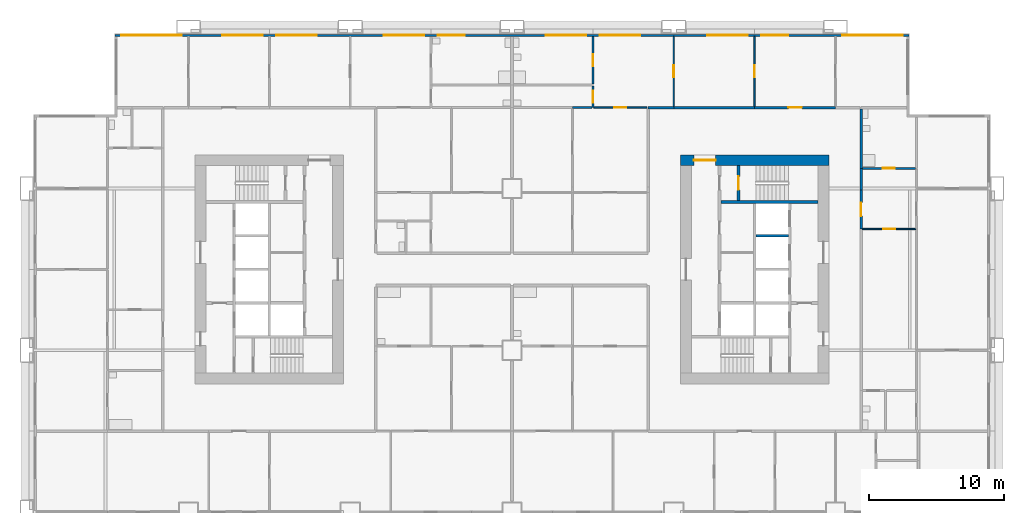
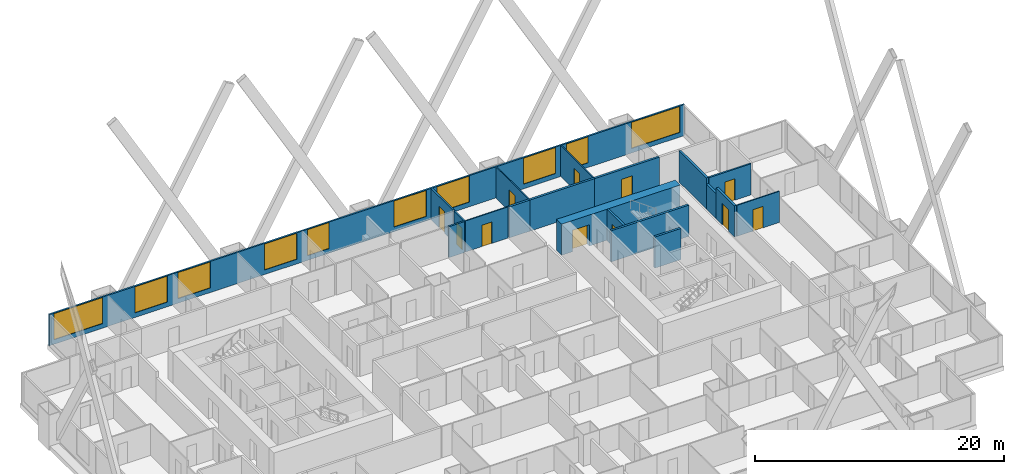
# One storey, part 9 of 13: 19 walls, 11 doors, 10 windows, 21 openings.
"""IFC4 building model written with IfcOpenShell, lengths in metres."""

from ifc_helpers import new_model, si_unit, direction, frame, frame_2d, origin, place, context, subcontext, project, spatial, rectangle, extrude, material, layer, layer_set, type_object, element, fill, save


model = new_model("IFC4")

# Units and contexts
model_context = context("Model", 3, precision=1e-05, world=origin(), true_north=direction((0.0, 1.0)))
body_context = subcontext(model_context, "Body", "Model", "MODEL_VIEW")
ifc_project = project(units=[si_unit("LENGTHUNIT", "METRE"), si_unit("AREAUNIT", "SQUARE_METRE"), si_unit("VOLUMEUNIT", "CUBIC_METRE"), si_unit("PLANEANGLEUNIT", "RADIAN"), si_unit("MASSUNIT", "GRAM", prefix="KILO")], contexts=[model_context])

# Site, building, storey
site_placement = place(None, origin())
site = spatial("IfcSite", under=ifc_project, at=site_placement, CompositionType="ELEMENT")
building_placement = place(site_placement, origin())
building = spatial("IfcBuilding", under=site, at=building_placement, Name="Kitamizu Gate Tower and Museum", CompositionType="ELEMENT")
storey_placement = place(building_placement, frame((0.0, 0.0, 30.0)))
storey = spatial("IfcBuildingStorey", under=building, at=storey_placement, Name="L05", CompositionType="ELEMENT", Elevation=30.0)

# Wall, opening, door
ifc_material_1 = material(Name="Concrete Fc60", Category="concrete")
ifc_layer_1 = layer(ifc_material_1, 0.800048828125)
ifc_layer_set_1 = layer_set([ifc_layer_1], Name="Concrete Fc60")
wall_type_1 = type_object("IfcWallType", Name="Core wall 800", PredefinedType="SHEAR", material=ifc_layer_set_1)
wall_1_placement = place(storey_placement, frame((59.5, 38.10009765625, 0.0), z_axis=(0.0, 0.0, 1.0), x_axis=(-1.0, 0.0, 0.0)))
wall_1 = element("IfcWall", 1, at=wall_1_placement, inside=storey, type_object=wall_type_1, Name="Core wall EN", PredefinedType="SHEAR", context=body_context, shape_type="SweptSolid", body=[
    extrude(rectangle(XDim=11.0, YDim=0.800048828125, at=frame_2d((5.5, 0.0))), origin(), (0.0, 0.0, 1.0), 3.050048828125),
])
opening_1_placement = place(wall_1_placement, frame((8.39990234375, 0.0, 0.0)))
opening_1 = element("IfcOpeningElement", 2, at=opening_1_placement, cuts=wall_1, Name="Opening L05-096", PredefinedType="OPENING", context=body_context, shape_type="SweptSolid", body=[
    extrude(rectangle(XDim=1.60009765625, YDim=2.10009765625, at=frame_2d((0.800048828125, 1.050048828125))), frame((0.0, 0.41015625, 0.0), z_axis=(0.0, -1.0, 0.0), x_axis=(1.0, 0.0, 0.0)), (0.0, 0.0, 1.0), 0.820068359375),
])
ifc_material_2 = material(Name="Timber door set", Category="wood")
door_type_1 = type_object("IfcDoorType", Name="Entrance door 1600", OperationType="DOUBLE_DOOR_SINGLE_SWING", PredefinedType="DOOR", material=ifc_material_2)
door_1_placement = place(opening_1_placement, origin())
door_1 = element("IfcDoor", 3, at=door_1_placement, inside=storey, type_object=door_type_1, Name="Lobby door L05-096", OperationType="DOUBLE_DOOR_SINGLE_SWING", OverallHeight=2.10009765625, OverallWidth=1.60009765625, PredefinedType="DOOR", context=body_context, shape_type="SweptSolid", body=[
    extrude(rectangle(XDim=1.60009765625, YDim=2.10009765625, at=frame_2d((0.800048828125, 1.050048828125))), frame((0.0, 0.02490234375, 0.0), z_axis=(0.0, -1.0, 0.0), x_axis=(1.0, 0.0, 0.0)), (0.0, 0.0, 1.0), 0.050048828125),
])
fill(opening_1, door_1)

ifc_material_3 = material(Name="Gypsum board on galvanised stud")
ifc_layer_2 = layer(ifc_material_3, 0.10009765625)
ifc_layer_set_2 = layer_set([ifc_layer_2], Name="Gypsum board on galvanised stud")
wall_type_2 = type_object("IfcWallType", Name="Partition 100 NOT RATED", PredefinedType="PARTITIONING", material=ifc_layer_set_2)
wall_2_placement = place(storey_placement, frame((65.949951171875, 33.0, 0.0), z_axis=(0.0, 0.0, 1.0), x_axis=(-1.0, 0.0, 0.0)))
wall_2 = element("IfcWall", 4, at=wall_2_placement, inside=storey, type_object=wall_type_2, Name="Partition L05-138", PredefinedType="PARTITIONING", context=body_context, shape_type="SweptSolid", body=[
    extrude(rectangle(XDim=3.949951171875, YDim=0.10009765625, at=frame_2d((1.97509765625, 0.0))), origin(), (0.0, 0.0, 1.0), 3.050048828125),
])
opening_2_placement = place(wall_2_placement, frame((1.52490234375, 0.0, 0.0)))
opening_2 = element("IfcOpeningElement", 5, at=opening_2_placement, cuts=wall_2, Name="Opening L05-050", PredefinedType="OPENING", context=body_context, shape_type="SweptSolid", body=[
    extrude(rectangle(XDim=0.89990234375, YDim=2.10009765625, at=frame_2d((0.449951171875, 1.050048828125))), frame((0.0, 0.06005859375, 0.0), z_axis=(0.0, -1.0, 0.0), x_axis=(1.0, 0.0, 0.0)), (0.0, 0.0, 1.0), 0.1201171875),
])
ifc_material_4 = material(Name="Timber door set", Category="wood")
door_type_2 = type_object("IfcDoorType", Name="Room door 900", OperationType="NOTDEFINED", PredefinedType="DOOR", material=ifc_material_4)
door_2_placement = place(opening_2_placement, frame((0.89990234375, 0.0, 0.0), x_axis=(-1.0, 0.0, 0.0)))
door_2 = element("IfcDoor", 6, at=door_2_placement, inside=storey, type_object=door_type_2, Name="Door L05-050", OperationType="SINGLE_SWING_LEFT", OverallHeight=2.10009765625, OverallWidth=0.89990234375, PredefinedType="DOOR", context=body_context, shape_type="SweptSolid", body=[
    extrude(rectangle(XDim=0.89990234375, YDim=2.10009765625, at=frame_2d((0.449951171875, 1.050048828125))), frame((0.0, 0.02490234375, 0.0), z_axis=(0.0, -1.0, 0.0), x_axis=(1.0, 0.0, 0.0)), (0.0, 0.0, 1.0), 0.050048828125),
])
fill(opening_2, door_2)

wall_3_placement = place(storey_placement, frame((48.0, 42.10009765625, 0.0), z_axis=(0.0, 0.0, 1.0), x_axis=(0.0, 1.0, 0.0)))
wall_3 = element("IfcWall", 7, at=wall_3_placement, inside=storey, type_object=wall_type_2, Name="Partition L05-184", PredefinedType="PARTITIONING", context=body_context, shape_type="SweptSolid", body=[
    extrude(rectangle(XDim=5.179931640625, YDim=0.10009765625, at=frame_2d((2.58984375, 0.0))), origin(), (0.0, 0.0, 1.0), 3.050048828125),
])
opening_3_placement = place(wall_3_placement, frame((2.139892578125, 0.0, 0.0)))
opening_3 = element("IfcOpeningElement", 8, at=opening_3_placement, cuts=wall_3, Name="Opening L05-071", PredefinedType="OPENING", context=body_context, shape_type="SweptSolid", body=[
    extrude(rectangle(XDim=0.89990234375, YDim=2.10009765625, at=frame_2d((0.449951171875, 1.050048828125))), frame((0.0, 0.06005859375, 0.0), z_axis=(0.0, -1.0, 0.0), x_axis=(1.0, 0.0, 0.0)), (0.0, 0.0, 1.0), 0.1201171875),
])
door_3_placement = place(opening_3_placement, origin())
door_3 = element("IfcDoor", 9, at=door_3_placement, inside=storey, type_object=door_type_2, Name="Door L05-071", OperationType="SINGLE_SWING_RIGHT", OverallHeight=2.10009765625, OverallWidth=0.89990234375, PredefinedType="DOOR", context=body_context, shape_type="SweptSolid", body=[
    extrude(rectangle(XDim=0.89990234375, YDim=2.10009765625, at=frame_2d((0.449951171875, 1.050048828125))), frame((0.0, 0.02490234375, 0.0), z_axis=(0.0, -1.0, 0.0), x_axis=(1.0, 0.0, 0.0)), (0.0, 0.0, 1.0), 0.050048828125),
])
fill(opening_3, door_3)

wall_4_placement = place(storey_placement, frame((42.074951171875, 42.0, 0.0), z_axis=(0.0, 0.0, 1.0), x_axis=(1.0, 0.0, 0.0)))
wall_4 = element("IfcWall", 10, at=wall_4_placement, inside=storey, type_object=wall_type_2, Name="Partition L05-185", PredefinedType="PARTITIONING", context=body_context, shape_type="SweptSolid", body=[
    extrude(rectangle(XDim=3.925048828125, YDim=0.10009765625, at=frame_2d((1.96240234375, 0.0))), origin(), (0.0, 0.0, 1.0), 3.050048828125),
])
opening_4_placement = place(wall_4_placement, frame((1.512451171875, 0.0, 0.0)))
opening_4 = element("IfcOpeningElement", 11, at=opening_4_placement, cuts=wall_4, Name="Opening L05-072", PredefinedType="OPENING", context=body_context, shape_type="SweptSolid", body=[
    extrude(rectangle(XDim=0.89990234375, YDim=2.10009765625, at=frame_2d((0.449951171875, 1.050048828125))), frame((0.0, 0.06005859375, 0.0), z_axis=(0.0, -1.0, 0.0), x_axis=(1.0, 0.0, 0.0)), (0.0, 0.0, 1.0), 0.1201171875),
])
door_4_placement = place(opening_4_placement, origin())
door_4 = element("IfcDoor", 12, at=door_4_placement, inside=storey, type_object=door_type_2, Name="Door L05-072", OperationType="SINGLE_SWING_LEFT", OverallHeight=2.10009765625, OverallWidth=0.89990234375, PredefinedType="DOOR", context=body_context, shape_type="SweptSolid", body=[
    extrude(rectangle(XDim=0.89990234375, YDim=2.10009765625, at=frame_2d((0.449951171875, 1.050048828125))), frame((0.0, 0.02490234375, 0.0), z_axis=(0.0, -1.0, 0.0), x_axis=(1.0, 0.0, 0.0)), (0.0, 0.0, 1.0), 0.050048828125),
])
fill(opening_4, door_4)

wall_5_placement = place(storey_placement, frame((54.0, 42.10009765625, 0.0), z_axis=(0.0, 0.0, 1.0), x_axis=(0.0, 1.0, 0.0)))
wall_5 = element("IfcWall", 13, at=wall_5_placement, inside=storey, type_object=wall_type_2, Name="Partition L05-187", PredefinedType="PARTITIONING", context=body_context, shape_type="SweptSolid", body=[
    extrude(rectangle(XDim=5.179931640625, YDim=0.10009765625, at=frame_2d((2.58984375, 0.0))), origin(), (0.0, 0.0, 1.0), 3.050048828125),
])
opening_5_placement = place(wall_5_placement, frame((2.139892578125, 0.0, 0.0)))
opening_5 = element("IfcOpeningElement", 14, at=opening_5_placement, cuts=wall_5, Name="Opening L05-070", PredefinedType="OPENING", context=body_context, shape_type="SweptSolid", body=[
    extrude(rectangle(XDim=0.89990234375, YDim=2.10009765625, at=frame_2d((0.449951171875, 1.050048828125))), frame((0.0, 0.06005859375, 0.0), z_axis=(0.0, -1.0, 0.0), x_axis=(1.0, 0.0, 0.0)), (0.0, 0.0, 1.0), 0.1201171875),
])
door_5_placement = place(opening_5_placement, origin())
door_5 = element("IfcDoor", 15, at=door_5_placement, inside=storey, type_object=door_type_2, Name="Door L05-070", OperationType="SINGLE_SWING_LEFT", OverallHeight=2.10009765625, OverallWidth=0.89990234375, PredefinedType="DOOR", context=body_context, shape_type="SweptSolid", body=[
    extrude(rectangle(XDim=0.89990234375, YDim=2.10009765625, at=frame_2d((0.449951171875, 1.050048828125))), frame((0.0, 0.02490234375, 0.0), z_axis=(0.0, -1.0, 0.0), x_axis=(1.0, 0.0, 0.0)), (0.0, 0.0, 1.0), 0.050048828125),
])
fill(opening_5, door_5)

ifc_material_5 = material(Name="Gypsum board on galvanised stud")
ifc_layer_3 = layer(ifc_material_5, 0.14990234375)
ifc_layer_set_3 = layer_set([ifc_layer_3], Name="Gypsum board on galvanised stud")
wall_type_3 = type_object("IfcWallType", Name="Partition 150", PredefinedType="PARTITIONING", material=ifc_layer_set_3)
wall_6_placement = place(storey_placement, frame((65.925048828125, 37.5, 0.0), z_axis=(0.0, 0.0, 1.0), x_axis=(-1.0, 0.0, 0.0)))
wall_6 = element("IfcWall", 16, at=wall_6_placement, inside=storey, type_object=wall_type_3, Name="Partition L05-141", PredefinedType="PARTITIONING", context=body_context, shape_type="SweptSolid", body=[
    extrude(rectangle(XDim=3.925048828125, YDim=0.14990234375, at=frame_2d((1.96240234375, 0.0))), origin(), (0.0, 0.0, 1.0), 3.050048828125),
])
opening_6_placement = place(wall_6_placement, frame((1.512451171875, 0.0, 0.0)))
opening_6 = element("IfcOpeningElement", 17, at=opening_6_placement, cuts=wall_6, Name="Opening L05-052", PredefinedType="OPENING", context=body_context, shape_type="SweptSolid", body=[
    extrude(rectangle(XDim=0.89990234375, YDim=2.10009765625, at=frame_2d((0.449951171875, 1.050048828125))), frame((0.0, 0.0849609375, 0.0), z_axis=(0.0, -1.0, 0.0), x_axis=(1.0, 0.0, 0.0)), (0.0, 0.0, 1.0), 0.169921875),
])
ifc_material_6 = material(Name="Timber door set", Category="wood")
door_type_3 = type_object("IfcDoorType", Name="Bathroom door 900", OperationType="NOTDEFINED", PredefinedType="DOOR", material=ifc_material_6)
door_6_placement = place(opening_6_placement, frame((0.89990234375, 0.0, 0.0), x_axis=(-1.0, 0.0, 0.0)))
door_6 = element("IfcDoor", 18, at=door_6_placement, inside=storey, type_object=door_type_3, Name="Bathroom door L05-052", OperationType="SINGLE_SWING_LEFT", OverallHeight=2.10009765625, OverallWidth=0.89990234375, PredefinedType="DOOR", context=body_context, shape_type="SweptSolid", body=[
    extrude(rectangle(XDim=0.89990234375, YDim=2.10009765625, at=frame_2d((0.449951171875, 1.050048828125))), frame((0.0, 0.02490234375, 0.0), z_axis=(0.0, -1.0, 0.0), x_axis=(1.0, 0.0, 0.0)), (0.0, 0.0, 1.0), 0.050048828125),
])
fill(opening_6, door_6)

wall_7_placement = place(storey_placement, frame((42.0, 43.7548828125, 0.0), z_axis=(0.0, 0.0, 1.0), x_axis=(0.0, 1.0, 0.0)))
wall_7 = element("IfcWall", 19, at=wall_7_placement, inside=storey, type_object=wall_type_3, Name="Partition L05-180", PredefinedType="PARTITIONING", context=body_context, shape_type="SweptSolid", body=[
    extrude(rectangle(XDim=3.525146484375, YDim=0.14990234375, at=frame_2d((1.7626953125, 0.0))), origin(), (0.0, 0.0, 1.0), 3.050048828125),
])
opening_7_placement = place(wall_7_placement, frame((1.3125, 0.0, 0.0)))
opening_7 = element("IfcOpeningElement", 20, at=opening_7_placement, cuts=wall_7, Name="Opening L05-074", PredefinedType="OPENING", context=body_context, shape_type="SweptSolid", body=[
    extrude(rectangle(XDim=0.89990234375, YDim=2.10009765625, at=frame_2d((0.449951171875, 1.050048828125))), frame((0.0, 0.0849609375, 0.0), z_axis=(0.0, -1.0, 0.0), x_axis=(1.0, 0.0, 0.0)), (0.0, 0.0, 1.0), 0.169921875),
])
door_7_placement = place(opening_7_placement, origin())
door_7 = element("IfcDoor", 21, at=door_7_placement, inside=storey, type_object=door_type_3, Name="Bathroom door L05-074", OperationType="SINGLE_SWING_LEFT", OverallHeight=2.10009765625, OverallWidth=0.89990234375, PredefinedType="DOOR", context=body_context, shape_type="SweptSolid", body=[
    extrude(rectangle(XDim=0.89990234375, YDim=2.10009765625, at=frame_2d((0.449951171875, 1.050048828125))), frame((0.0, 0.02490234375, 0.0), z_axis=(0.0, -1.0, 0.0), x_axis=(1.0, 0.0, 0.0)), (0.0, 0.0, 1.0), 0.050048828125),
])
fill(opening_7, door_7)

wall_8_placement = place(storey_placement, frame((42.0, 42.0, 0.0), z_axis=(0.0, 0.0, 1.0), x_axis=(0.0, 1.0, 0.0)))
wall_8 = element("IfcWall", 22, at=wall_8_placement, inside=storey, type_object=wall_type_3, Name="Partition L05-181", PredefinedType="PARTITIONING", context=body_context, shape_type="SweptSolid", body=[
    extrude(rectangle(XDim=1.60498046875, YDim=0.14990234375, at=frame_2d((0.802490234375, 0.0))), origin(), (0.0, 0.0, 1.0), 3.050048828125),
])
opening_8_placement = place(wall_8_placement, frame((0.3525390625, 0.0, 0.0)))
opening_8 = element("IfcOpeningElement", 23, at=opening_8_placement, cuts=wall_8, Name="Opening L05-075", PredefinedType="OPENING", context=body_context, shape_type="SweptSolid", body=[
    extrude(rectangle(XDim=0.89990234375, YDim=2.10009765625, at=frame_2d((0.449951171875, 1.050048828125))), frame((0.0, 0.0849609375, 0.0), z_axis=(0.0, -1.0, 0.0), x_axis=(1.0, 0.0, 0.0)), (0.0, 0.0, 1.0), 0.169921875),
])
door_8_placement = place(opening_8_placement, origin())
door_8 = element("IfcDoor", 24, at=door_8_placement, inside=storey, type_object=door_type_3, Name="Bathroom door L05-075", OperationType="SINGLE_SWING_RIGHT", OverallHeight=2.10009765625, OverallWidth=0.89990234375, PredefinedType="DOOR", context=body_context, shape_type="SweptSolid", body=[
    extrude(rectangle(XDim=0.89990234375, YDim=2.10009765625, at=frame_2d((0.449951171875, 1.050048828125))), frame((0.0, 0.02490234375, 0.0), z_axis=(0.0, -1.0, 0.0), x_axis=(1.0, 0.0, 0.0)), (0.0, 0.0, 1.0), 0.050048828125),
])
fill(opening_8, door_8)

# Walls
wall_9_placement = place(storey_placement, frame((40.5, 42.0, 0.0), z_axis=(0.0, 0.0, 1.0), x_axis=(1.0, 0.0, 0.0)))
element("IfcWall", 25, at=wall_9_placement, inside=storey, type_object=wall_type_3, Name="Partition L05-183", PredefinedType="PARTITIONING", context=body_context, shape_type="SweptSolid", body=[
    extrude(rectangle(XDim=1.425048828125, YDim=0.14990234375, at=frame_2d((0.71240234375, 0.0))), origin(), (0.0, 0.0, 1.0), 3.050048828125),
])
ifc_material_7 = material(Name="Gypsum board on galvanised stud")
ifc_layer_4 = layer(ifc_material_7, 0.199951171875)
ifc_layer_set_4 = layer_set([ifc_layer_4], Name="Gypsum board on galvanised stud")
wall_type_4 = type_object("IfcWallType", Name="Partition 200", PredefinedType="PARTITIONING", material=ifc_layer_set_4)
wall_10_placement = place(storey_placement, frame((61.89990234375, 37.5, 0.0), z_axis=(0.0, 0.0, 1.0), x_axis=(0.0, -1.0, 0.0)))
element("IfcWall", 26, at=wall_10_placement, inside=storey, type_object=wall_type_4, Name="Partition L05-142", PredefinedType="PARTITIONING", context=body_context, shape_type="SweptSolid", body=[
    extrude(rectangle(XDim=1.60009765625, YDim=0.199951171875, at=frame_2d((0.800048828125, 0.0))), origin(), (0.0, 0.0, 1.0), 2.449951171875),
])

# Wall, opening, door
wall_11_placement = place(storey_placement, frame((61.89990234375, 35.89990234375, 0.0), z_axis=(0.0, 0.0, 1.0), x_axis=(0.0, -1.0, 0.0)))
wall_11 = element("IfcWall", 27, at=wall_11_placement, inside=storey, type_object=wall_type_4, Name="Partition L05-143", PredefinedType="PARTITIONING", context=body_context, shape_type="SweptSolid", body=[
    extrude(rectangle(XDim=2.89990234375, YDim=0.199951171875, at=frame_2d((1.449951171875, 0.0))), origin(), (0.0, 0.0, 1.0), 3.050048828125),
])
opening_9_placement = place(wall_11_placement, frame((0.949951171875, 0.0, 0.0)))
opening_9 = element("IfcOpeningElement", 28, at=opening_9_placement, cuts=wall_11, Name="Opening L05-048", PredefinedType="OPENING", context=body_context, shape_type="SweptSolid", body=[
    extrude(rectangle(XDim=1.0, YDim=2.10009765625, at=frame_2d((0.5, 1.050048828125))), frame((0.0, 0.10986328125, 0.0), z_axis=(0.0, -1.0, 0.0), x_axis=(1.0, 0.0, 0.0)), (0.0, 0.0, 1.0), 0.219970703125),
])
ifc_material_8 = material(Name="Timber door set", Category="wood")
door_type_4 = type_object("IfcDoorType", Name="Flat entrance door 1000", OperationType="NOTDEFINED", PredefinedType="DOOR", material=ifc_material_8)
door_9_placement = place(opening_9_placement, origin())
door_9 = element("IfcDoor", 29, at=door_9_placement, inside=storey, type_object=door_type_4, Name="Flat entrance door L05-048", OperationType="SINGLE_SWING_LEFT", OverallHeight=2.10009765625, OverallWidth=1.0, PredefinedType="DOOR", context=body_context, shape_type="SweptSolid", body=[
    extrude(rectangle(XDim=1.0, YDim=2.10009765625, at=frame_2d((0.5, 1.050048828125))), frame((0.0, 0.02490234375, 0.0), z_axis=(0.0, -1.0, 0.0), x_axis=(1.0, 0.0, 0.0)), (0.0, 0.0, 1.0), 0.050048828125),
])
fill(opening_9, door_9)

# Walls
wall_12_placement = place(storey_placement, frame((61.89990234375, 41.89990234375, 0.0), z_axis=(0.0, 0.0, 1.0), x_axis=(0.0, -1.0, 0.0)))
element("IfcWall", 30, at=wall_12_placement, inside=storey, type_object=wall_type_4, Name="Partition L05-145", PredefinedType="PARTITIONING", context=body_context, shape_type="SweptSolid", body=[
    extrude(rectangle(XDim=4.39990234375, YDim=0.199951171875, at=frame_2d((2.199951171875, 0.0))), origin(), (0.0, 0.0, 1.0), 3.050048828125),
])
wall_13_placement = place(storey_placement, frame((46.10009765625, 42.0, 0.0), z_axis=(0.0, 0.0, 1.0), x_axis=(1.0, 0.0, 0.0)))
element("IfcWall", 31, at=wall_13_placement, inside=storey, type_object=wall_type_4, Name="Partition L05-186", PredefinedType="PARTITIONING", context=body_context, shape_type="SweptSolid", body=[
    extrude(rectangle(XDim=1.89990234375, YDim=0.199951171875, at=frame_2d((0.949951171875, 0.0))), origin(), (0.0, 0.0, 1.0), 3.050048828125),
])
wall_14_placement = place(storey_placement, frame((48.0, 42.0, 0.0), z_axis=(0.0, 0.0, 1.0), x_axis=(1.0, 0.0, 0.0)))
element("IfcWall", 32, at=wall_14_placement, inside=storey, type_object=wall_type_4, Name="Partition L05-188", PredefinedType="PARTITIONING", context=body_context, shape_type="SweptSolid", body=[
    extrude(rectangle(XDim=6.0, YDim=0.199951171875, at=frame_2d((3.0, 0.0))), origin(), (0.0, 0.0, 1.0), 3.050048828125),
])

# Wall, opening, door
wall_15_placement = place(storey_placement, frame((54.0, 42.0, 0.0), z_axis=(0.0, 0.0, 1.0), x_axis=(1.0, 0.0, 0.0)))
wall_15 = element("IfcWall", 33, at=wall_15_placement, inside=storey, type_object=wall_type_4, Name="Partition L05-190", PredefinedType="PARTITIONING", context=body_context, shape_type="SweptSolid", body=[
    extrude(rectangle(XDim=6.0, YDim=0.199951171875, at=frame_2d((3.0, 0.0))), origin(), (0.0, 0.0, 1.0), 3.050048828125),
])
opening_10_placement = place(wall_15_placement, frame((2.5, 0.0, 0.0)))
opening_10 = element("IfcOpeningElement", 34, at=opening_10_placement, cuts=wall_15, Name="Opening L05-068", PredefinedType="OPENING", context=body_context, shape_type="SweptSolid", body=[
    extrude(rectangle(XDim=1.0, YDim=2.10009765625, at=frame_2d((0.5, 1.050048828125))), frame((0.0, 0.10986328125, 0.0), z_axis=(0.0, -1.0, 0.0), x_axis=(1.0, 0.0, 0.0)), (0.0, 0.0, 1.0), 0.219970703125),
])
door_10_placement = place(opening_10_placement, origin())
door_10 = element("IfcDoor", 35, at=door_10_placement, inside=storey, type_object=door_type_4, Name="Flat entrance door L05-068", OperationType="SINGLE_SWING_LEFT", OverallHeight=2.10009765625, OverallWidth=1.0, PredefinedType="DOOR", context=body_context, shape_type="SweptSolid", body=[
    extrude(rectangle(XDim=1.0, YDim=2.10009765625, at=frame_2d((0.5, 1.050048828125))), frame((0.0, 0.02490234375, 0.0), z_axis=(0.0, -1.0, 0.0), x_axis=(1.0, 0.0, 0.0)), (0.0, 0.0, 1.0), 0.050048828125),
])
fill(opening_10, door_10)

# Wall
ifc_material_9 = material(Name="Concrete Fc42", Category="concrete")
ifc_layer_5 = layer(ifc_material_9, 0.199951171875)
ifc_layer_set_5 = layer_set([ifc_layer_5], Name="Concrete Fc42")
wall_type_5 = type_object("IfcWallType", Name="Shaft wall 200", PredefinedType="SOLIDWALL", material=ifc_layer_set_5)
wall_16_placement = place(storey_placement, frame((58.699951171875, 35.0, 0.0), z_axis=(0.0, 0.0, 1.0), x_axis=(-1.0, 0.0, 0.0)))
element("IfcWall", 36, at=wall_16_placement, inside=storey, type_object=wall_type_5, Name="Shaft wall ENB", PredefinedType="SOLIDWALL", context=body_context, shape_type="SweptSolid", body=[
    extrude(rectangle(XDim=7.199951171875, YDim=0.199951171875, at=frame_2d((3.60009765625, 0.0))), origin(), (0.0, 0.0, 1.0), 3.050048828125),
])

# Wall, opening, door
wall_17_placement = place(storey_placement, frame((52.800048828125, 35.10009765625, 0.0), z_axis=(0.0, 0.0, 1.0), x_axis=(0.0, 1.0, 0.0)))
wall_17 = element("IfcWall", 37, at=wall_17_placement, inside=storey, type_object=wall_type_5, Name="Shaft wall ENZ", PredefinedType="SOLIDWALL", context=body_context, shape_type="SweptSolid", body=[
    extrude(rectangle(XDim=2.599853515625, YDim=0.199951171875, at=frame_2d((1.2998046875, 0.0))), origin(), (0.0, 0.0, 1.0), 3.050048828125),
])
opening_11_placement = place(wall_17_placement, frame((0.800048828125, 0.0, 0.0)))
opening_11 = element("IfcOpeningElement", 38, at=opening_11_placement, cuts=wall_17, Name="Opening L05-092", PredefinedType="OPENING", context=body_context, shape_type="SweptSolid", body=[
    extrude(rectangle(XDim=1.0, YDim=2.10009765625, at=frame_2d((0.5, 1.050048828125))), frame((0.0, 0.10986328125, 0.0), z_axis=(0.0, -1.0, 0.0), x_axis=(1.0, 0.0, 0.0)), (0.0, 0.0, 1.0), 0.219970703125),
])
ifc_material_10 = material(Name="Hollow metal door set")
door_type_5 = type_object("IfcDoorType", Name="Fire door 1000", OperationType="NOTDEFINED", PredefinedType="DOOR", material=ifc_material_10)
door_11_placement = place(opening_11_placement, frame((1.0, 0.0, 0.0), x_axis=(-1.0, 0.0, 0.0)))
door_11 = element("IfcDoor", 39, at=door_11_placement, inside=storey, type_object=door_type_5, Name="Stair door L05-092", OperationType="SINGLE_SWING_LEFT", OverallHeight=2.10009765625, OverallWidth=1.0, PredefinedType="DOOR", context=body_context, shape_type="SweptSolid", body=[
    extrude(rectangle(XDim=1.0, YDim=2.10009765625, at=frame_2d((0.5, 1.050048828125))), frame((0.0, 0.02490234375, 0.0), z_axis=(0.0, -1.0, 0.0), x_axis=(1.0, 0.0, 0.0)), (0.0, 0.0, 1.0), 0.050048828125),
])
fill(opening_11, door_11)

# Wall
wall_18_placement = place(storey_placement, frame((56.5, 32.5, 0.0), z_axis=(0.0, 0.0, 1.0), x_axis=(-1.0, 0.0, 0.0)))
element("IfcWall", 40, at=wall_18_placement, inside=storey, type_object=wall_type_5, Name="Shaft wall EDVW2", PredefinedType="SOLIDWALL", context=body_context, shape_type="SweptSolid", body=[
    extrude(rectangle(XDim=2.39990234375, YDim=0.199951171875, at=frame_2d((1.199951171875, 0.0))), origin(), (0.0, 0.0, 1.0), 3.050048828125),
])

# Wall, openings, windows
ifc_material_11 = material(Name="Bronze anodised aluminium frame with insulated spandrel and tinted glass", Category="aluminium")
ifc_layer_6 = layer(ifc_material_11, 0.14990234375)
ifc_layer_set_6 = layer_set([ifc_layer_6], Name="Bronze anodised aluminium frame with insulated spandrel and tinted glass")
wall_type_6 = type_object("IfcWallType", Name="WINDOW WALL 150 BRONZE FRAME EI 30", PredefinedType="ELEMENTEDWALL", material=ifc_layer_set_6)
wall_19_placement = place(storey_placement, frame((6.56005859375, 47.364990234375, 0.0), z_axis=(0.0, 0.0, 1.0), x_axis=(1.0, 0.0, 0.0)))
wall_19 = element("IfcWall", 41, at=wall_19_placement, inside=storey, type_object=wall_type_6, Name="Window wall north L05", PredefinedType="ELEMENTEDWALL", context=body_context, shape_type="SweptSolid", body=[
    extrude(rectangle(XDim=58.8798828125, YDim=0.14990234375, at=frame_2d((29.43994140625, 0.0))), origin(), (0.0, 0.0, 1.0), 3.050048828125),
])
opening_12_placement = place(wall_19_placement, frame((0.43994140625, 0.0, 0.449951171875)))
opening_12 = element("IfcOpeningElement", 42, at=opening_12_placement, cuts=wall_19, Name="Opening W15", PredefinedType="OPENING", context=body_context, shape_type="SweptSolid", body=[
    extrude(rectangle(XDim=4.5, YDim=2.550048828125, at=frame_2d((2.25, 1.27490234375))), frame((0.0, 0.0849609375, 0.0), z_axis=(0.0, -1.0, 0.0), x_axis=(1.0, 0.0, 0.0)), (0.0, 0.0, 1.0), 0.169921875),
])
opening_13_placement = place(wall_19_placement, frame((7.93994140625, 0.0, 0.449951171875)))
opening_13 = element("IfcOpeningElement", 43, at=opening_13_placement, cuts=wall_19, Name="Opening W33", PredefinedType="OPENING", context=body_context, shape_type="SweptSolid", body=[
    extrude(rectangle(XDim=3.0, YDim=2.550048828125, at=frame_2d((1.5, 1.27490234375))), frame((0.0, 0.0849609375, 0.0), z_axis=(0.0, -1.0, 0.0), x_axis=(1.0, 0.0, 0.0)), (0.0, 0.0, 1.0), 0.169921875),
])
opening_14_placement = place(wall_19_placement, frame((11.93994140625, 0.0, 0.449951171875)))
opening_14 = element("IfcOpeningElement", 44, at=opening_14_placement, cuts=wall_19, Name="Opening W33", PredefinedType="OPENING", context=body_context, shape_type="SweptSolid", body=[
    extrude(rectangle(XDim=3.0, YDim=2.550048828125, at=frame_2d((1.5, 1.27490234375))), frame((0.0, 0.0849609375, 0.0), z_axis=(0.0, -1.0, 0.0), x_axis=(1.0, 0.0, 0.0)), (0.0, 0.0, 1.0), 0.169921875),
])
opening_15_placement = place(wall_19_placement, frame((19.93994140625, 0.0, 0.449951171875)))
opening_15 = element("IfcOpeningElement", 45, at=opening_15_placement, cuts=wall_19, Name="Opening W33", PredefinedType="OPENING", context=body_context, shape_type="SweptSolid", body=[
    extrude(rectangle(XDim=3.0, YDim=2.550048828125, at=frame_2d((1.5, 1.27490234375))), frame((0.0, 0.0849609375, 0.0), z_axis=(0.0, -1.0, 0.0), x_axis=(1.0, 0.0, 0.0)), (0.0, 0.0, 1.0), 0.169921875),
])
opening_16_placement = place(wall_19_placement, frame((23.93994140625, 0.0, 0.449951171875)))
opening_16 = element("IfcOpeningElement", 46, at=opening_16_placement, cuts=wall_19, Name="Opening W2", PredefinedType="OPENING", context=body_context, shape_type="SweptSolid", body=[
    extrude(rectangle(XDim=2.0, YDim=2.550048828125, at=frame_2d((1.0, 1.27490234375))), frame((0.0, 0.0849609375, 0.0), z_axis=(0.0, -1.0, 0.0), x_axis=(1.0, 0.0, 0.0)), (0.0, 0.0, 1.0), 0.169921875),
])
opening_17_placement = place(wall_19_placement, frame((31.93994140625, 0.0, 0.449951171875)))
opening_17 = element("IfcOpeningElement", 47, at=opening_17_placement, cuts=wall_19, Name="Opening W33", PredefinedType="OPENING", context=body_context, shape_type="SweptSolid", body=[
    extrude(rectangle(XDim=3.0, YDim=2.550048828125, at=frame_2d((1.5, 1.27490234375))), frame((0.0, 0.0849609375, 0.0), z_axis=(0.0, -1.0, 0.0), x_axis=(1.0, 0.0, 0.0)), (0.0, 0.0, 1.0), 0.169921875),
])
opening_18_placement = place(wall_19_placement, frame((35.93994140625, 0.0, 0.449951171875)))
opening_18 = element("IfcOpeningElement", 48, at=opening_18_placement, cuts=wall_19, Name="Opening W33", PredefinedType="OPENING", context=body_context, shape_type="SweptSolid", body=[
    extrude(rectangle(XDim=3.0, YDim=2.550048828125, at=frame_2d((1.5, 1.27490234375))), frame((0.0, 0.0849609375, 0.0), z_axis=(0.0, -1.0, 0.0), x_axis=(1.0, 0.0, 0.0)), (0.0, 0.0, 1.0), 0.169921875),
])
opening_19_placement = place(wall_19_placement, frame((43.93994140625, 0.0, 0.449951171875)))
opening_19 = element("IfcOpeningElement", 49, at=opening_19_placement, cuts=wall_19, Name="Opening W33", PredefinedType="OPENING", context=body_context, shape_type="SweptSolid", body=[
    extrude(rectangle(XDim=3.0, YDim=2.550048828125, at=frame_2d((1.5, 1.27490234375))), frame((0.0, 0.0849609375, 0.0), z_axis=(0.0, -1.0, 0.0), x_axis=(1.0, 0.0, 0.0)), (0.0, 0.0, 1.0), 0.169921875),
])
opening_20_placement = place(wall_19_placement, frame((47.93994140625, 0.0, 0.449951171875)))
opening_20 = element("IfcOpeningElement", 50, at=opening_20_placement, cuts=wall_19, Name="Opening W2", PredefinedType="OPENING", context=body_context, shape_type="SweptSolid", body=[
    extrude(rectangle(XDim=2.0, YDim=2.550048828125, at=frame_2d((1.0, 1.27490234375))), frame((0.0, 0.0849609375, 0.0), z_axis=(0.0, -1.0, 0.0), x_axis=(1.0, 0.0, 0.0)), (0.0, 0.0, 1.0), 0.169921875),
])
opening_21_placement = place(wall_19_placement, frame((53.93994140625, 0.0, 0.449951171875)))
opening_21 = element("IfcOpeningElement", 51, at=opening_21_placement, cuts=wall_19, Name="Opening W15", PredefinedType="OPENING", context=body_context, shape_type="SweptSolid", body=[
    extrude(rectangle(XDim=4.5, YDim=2.550048828125, at=frame_2d((2.25, 1.27490234375))), frame((0.0, 0.0849609375, 0.0), z_axis=(0.0, -1.0, 0.0), x_axis=(1.0, 0.0, 0.0)), (0.0, 0.0, 1.0), 0.169921875),
])
ifc_material_12 = material(Name="Bronze anodised aluminium frame, tinted triple glazing", Category="aluminium")
window_type_1 = type_object("IfcWindowType", Name="WINDOW 2000 x 2550 SILL 450", PartitioningType="SINGLE_PANEL", PredefinedType="WINDOW", material=ifc_material_12)
window_1_placement = place(opening_16_placement, origin())
window_1 = element("IfcWindow", 52, at=window_1_placement, inside=storey, type_object=window_type_1, Name="Window W2 L05", OverallHeight=2.550048828125, OverallWidth=2.0, PartitioningType="SINGLE_PANEL", PredefinedType="WINDOW", context=body_context, shape_type="SweptSolid", body=[
    extrude(rectangle(XDim=2.0, YDim=2.550048828125, at=frame_2d((1.0, 1.27490234375))), frame((0.0, 0.030029296875, 0.0), z_axis=(0.0, -1.0, 0.0), x_axis=(1.0, 0.0, 0.0)), (0.0, 0.0, 1.0), 0.06005859375),
])
fill(opening_16, window_1)
window_2_placement = place(opening_20_placement, origin())
window_2 = element("IfcWindow", 53, at=window_2_placement, inside=storey, type_object=window_type_1, Name="Window W2 L05", OverallHeight=2.550048828125, OverallWidth=2.0, PartitioningType="SINGLE_PANEL", PredefinedType="WINDOW", context=body_context, shape_type="SweptSolid", body=[
    extrude(rectangle(XDim=2.0, YDim=2.550048828125, at=frame_2d((1.0, 1.27490234375))), frame((0.0, 0.030029296875, 0.0), z_axis=(0.0, -1.0, 0.0), x_axis=(1.0, 0.0, 0.0)), (0.0, 0.0, 1.0), 0.06005859375),
])
fill(opening_20, window_2)
ifc_material_13 = material(Name="Bronze anodised aluminium frame, tinted triple glazing", Category="aluminium")
window_type_2 = type_object("IfcWindowType", Name="WINDOW 3000 x 2550 SILL 450", PartitioningType="SINGLE_PANEL", PredefinedType="WINDOW", material=ifc_material_13)
window_3_placement = place(opening_13_placement, origin())
window_3 = element("IfcWindow", 54, at=window_3_placement, inside=storey, type_object=window_type_2, Name="Window W33 L05", OverallHeight=2.550048828125, OverallWidth=3.0, PartitioningType="SINGLE_PANEL", PredefinedType="WINDOW", context=body_context, shape_type="SweptSolid", body=[
    extrude(rectangle(XDim=3.0, YDim=2.550048828125, at=frame_2d((1.5, 1.27490234375))), frame((0.0, 0.030029296875, 0.0), z_axis=(0.0, -1.0, 0.0), x_axis=(1.0, 0.0, 0.0)), (0.0, 0.0, 1.0), 0.06005859375),
])
fill(opening_13, window_3)
window_4_placement = place(opening_14_placement, origin())
window_4 = element("IfcWindow", 55, at=window_4_placement, inside=storey, type_object=window_type_2, Name="Window W33 L05", OverallHeight=2.550048828125, OverallWidth=3.0, PartitioningType="SINGLE_PANEL", PredefinedType="WINDOW", context=body_context, shape_type="SweptSolid", body=[
    extrude(rectangle(XDim=3.0, YDim=2.550048828125, at=frame_2d((1.5, 1.27490234375))), frame((0.0, 0.030029296875, 0.0), z_axis=(0.0, -1.0, 0.0), x_axis=(1.0, 0.0, 0.0)), (0.0, 0.0, 1.0), 0.06005859375),
])
fill(opening_14, window_4)
window_5_placement = place(opening_15_placement, origin())
window_5 = element("IfcWindow", 56, at=window_5_placement, inside=storey, type_object=window_type_2, Name="Window W33 L05", OverallHeight=2.550048828125, OverallWidth=3.0, PartitioningType="SINGLE_PANEL", PredefinedType="WINDOW", context=body_context, shape_type="SweptSolid", body=[
    extrude(rectangle(XDim=3.0, YDim=2.550048828125, at=frame_2d((1.5, 1.27490234375))), frame((0.0, 0.030029296875, 0.0), z_axis=(0.0, -1.0, 0.0), x_axis=(1.0, 0.0, 0.0)), (0.0, 0.0, 1.0), 0.06005859375),
])
fill(opening_15, window_5)
window_6_placement = place(opening_17_placement, origin())
window_6 = element("IfcWindow", 57, at=window_6_placement, inside=storey, type_object=window_type_2, Name="Window W33 L05", OverallHeight=2.550048828125, OverallWidth=3.0, PartitioningType="SINGLE_PANEL", PredefinedType="WINDOW", context=body_context, shape_type="SweptSolid", body=[
    extrude(rectangle(XDim=3.0, YDim=2.550048828125, at=frame_2d((1.5, 1.27490234375))), frame((0.0, 0.030029296875, 0.0), z_axis=(0.0, -1.0, 0.0), x_axis=(1.0, 0.0, 0.0)), (0.0, 0.0, 1.0), 0.06005859375),
])
fill(opening_17, window_6)
window_7_placement = place(opening_18_placement, origin())
window_7 = element("IfcWindow", 58, at=window_7_placement, inside=storey, type_object=window_type_2, Name="Window W33 L05", OverallHeight=2.550048828125, OverallWidth=3.0, PartitioningType="SINGLE_PANEL", PredefinedType="WINDOW", context=body_context, shape_type="SweptSolid", body=[
    extrude(rectangle(XDim=3.0, YDim=2.550048828125, at=frame_2d((1.5, 1.27490234375))), frame((0.0, 0.030029296875, 0.0), z_axis=(0.0, -1.0, 0.0), x_axis=(1.0, 0.0, 0.0)), (0.0, 0.0, 1.0), 0.06005859375),
])
fill(opening_18, window_7)
window_8_placement = place(opening_19_placement, origin())
window_8 = element("IfcWindow", 59, at=window_8_placement, inside=storey, type_object=window_type_2, Name="Window W33 L05", OverallHeight=2.550048828125, OverallWidth=3.0, PartitioningType="SINGLE_PANEL", PredefinedType="WINDOW", context=body_context, shape_type="SweptSolid", body=[
    extrude(rectangle(XDim=3.0, YDim=2.550048828125, at=frame_2d((1.5, 1.27490234375))), frame((0.0, 0.030029296875, 0.0), z_axis=(0.0, -1.0, 0.0), x_axis=(1.0, 0.0, 0.0)), (0.0, 0.0, 1.0), 0.06005859375),
])
fill(opening_19, window_8)
ifc_material_14 = material(Name="Bronze anodised aluminium frame, tinted triple glazing", Category="aluminium")
window_type_3 = type_object("IfcWindowType", Name="WINDOW 4500 x 2550 SILL 450", PartitioningType="SINGLE_PANEL", PredefinedType="WINDOW", material=ifc_material_14)
window_9_placement = place(opening_12_placement, origin())
window_9 = element("IfcWindow", 60, at=window_9_placement, inside=storey, type_object=window_type_3, Name="Window W15 L05", OverallHeight=2.550048828125, OverallWidth=4.5, PartitioningType="SINGLE_PANEL", PredefinedType="WINDOW", context=body_context, shape_type="SweptSolid", body=[
    extrude(rectangle(XDim=4.5, YDim=2.550048828125, at=frame_2d((2.25, 1.27490234375))), frame((0.0, 0.030029296875, 0.0), z_axis=(0.0, -1.0, 0.0), x_axis=(1.0, 0.0, 0.0)), (0.0, 0.0, 1.0), 0.06005859375),
])
fill(opening_12, window_9)
window_10_placement = place(opening_21_placement, origin())
window_10 = element("IfcWindow", 61, at=window_10_placement, inside=storey, type_object=window_type_3, Name="Window W15 L05", OverallHeight=2.550048828125, OverallWidth=4.5, PartitioningType="SINGLE_PANEL", PredefinedType="WINDOW", context=body_context, shape_type="SweptSolid", body=[
    extrude(rectangle(XDim=4.5, YDim=2.550048828125, at=frame_2d((2.25, 1.27490234375))), frame((0.0, 0.030029296875, 0.0), z_axis=(0.0, -1.0, 0.0), x_axis=(1.0, 0.0, 0.0)), (0.0, 0.0, 1.0), 0.06005859375),
])
fill(opening_21, window_10)

save(model, "model.ifc")
